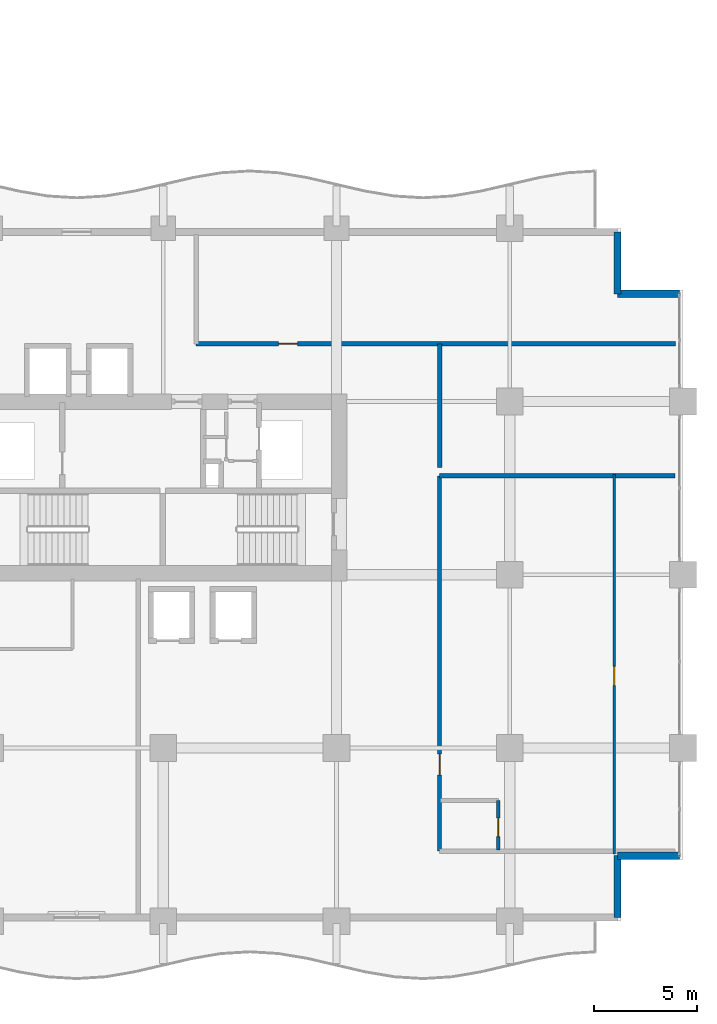
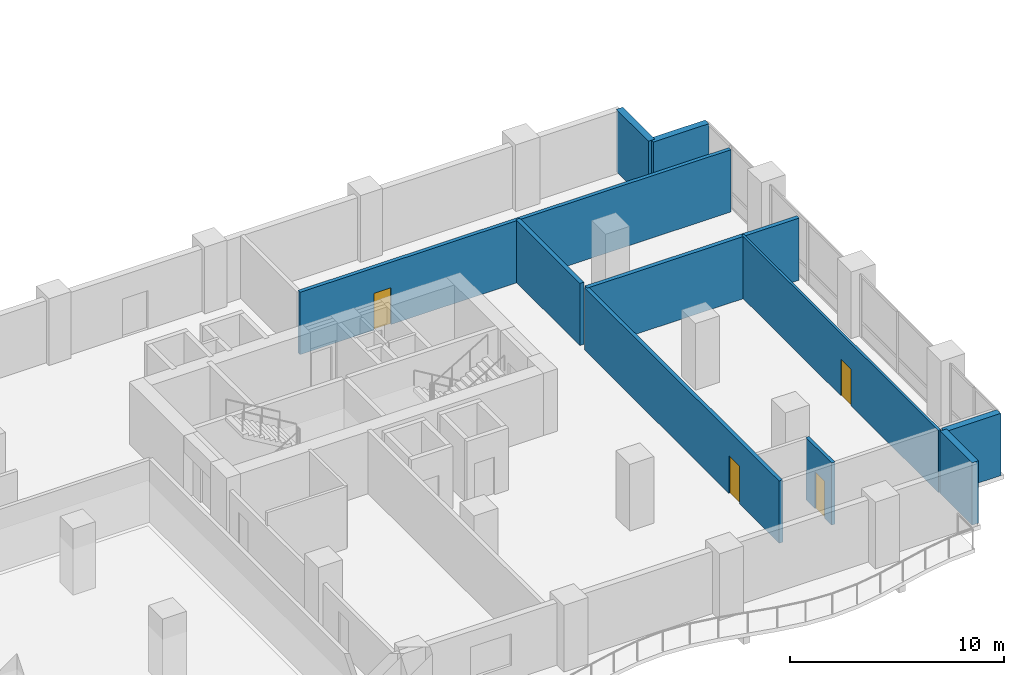
# One storey, part 15 of 23: 10 walls, 4 doors, 4 openings.
"""IFC4 building model written with IfcOpenShell, lengths in metres."""

import ifcopenshell
import ifcopenshell.guid

model = None  # the IFC model being written
_history = None  # IfcOwnerHistory: only IFC2X3 demands one
_inside = {}  # id of a spatial element -> (the spatial element, [elements in it])
_under = {}  # id of a project, library or spatial element -> (it, [spatial elements below it])
_declared = {}  # id of a project -> (the project, [libraries it declares])
_typed = {}  # id of a type object -> (the type object, [elements of that type])
_made_of = {}  # id of a material, layer set ... -> (it, [elements and type objects made of it])


def new_model(schema):
    """Start an empty IFC model of exactly this schema.

    Asked for "IFC4X3", IfcOpenShell would pick the latest addendum, in which some entities
    have other attributes; the version numbers below select the first issue.
    IFC2X3 requires an IfcOwnerHistory on every rooted entity: one is made here for all.
    """
    global model, _history
    if schema == "IFC4X3":
        model = ifcopenshell.file(schema_version=(4, 3, 0, 0))
    else:
        model = ifcopenshell.file(schema=schema)
    _inside.clear()
    _under.clear()
    _declared.clear()
    _typed.clear()
    _made_of.clear()
    _history = None
    if model.schema == "IFC2X3":
        org = make("IfcOrganization", Name="unknown")
        user = make(
            "IfcPersonAndOrganization",
            ThePerson=make("IfcPerson", FamilyName="unknown"),
            TheOrganization=org,
        )
        app = make(
            "IfcApplication",
            ApplicationDeveloper=org,
            Version="unknown",
            ApplicationFullName="unknown",
            ApplicationIdentifier="unknown",
        )
        _history = make(
            "IfcOwnerHistory",
            OwningUser=user,
            OwningApplication=app,
            ChangeAction="ADDED",
            CreationDate=0,
        )
    return model


def make(cls, **values):
    """One entity of the class cls with the attributes given. An attribute that is None is left unset."""
    return model.create_entity(
        cls, **{name: value for name, value in values.items() if value is not None}
    )


def rooted(cls, **values):
    """An entity with a GlobalId (a new one), such as an element, a storey or a relation."""
    return make(cls, GlobalId=ifcopenshell.guid.new(), OwnerHistory=_history, **values)


def si_unit(unit_type, name, prefix=None):
    """IfcSIUnit, for example si_unit("LENGTHUNIT", "METRE", prefix="MILLI")."""
    return make("IfcSIUnit", UnitType=unit_type, Prefix=prefix, Name=name)


def assignment(units):
    """IfcUnitAssignment: the units of a project."""
    return None if units is None else make("IfcUnitAssignment", Units=units)


def point(xyz):
    """IfcCartesianPoint."""
    return None if xyz is None else make("IfcCartesianPoint", Coordinates=xyz)


def direction(xyz):
    """IfcDirection."""
    return None if xyz is None else make("IfcDirection", DirectionRatios=xyz)


def frame(location, z_axis=None, x_axis=None):
    """IfcAxis2Placement3D, a coordinate frame: its origin and axes. An axis left out is left unset."""
    return make(
        "IfcAxis2Placement3D",
        Location=point(location),
        Axis=direction(z_axis),
        RefDirection=direction(x_axis),
    )


def frame_2d(location, x_axis=None):
    """IfcAxis2Placement2D, a coordinate frame in the plane: its origin and x axis."""
    return make(
        "IfcAxis2Placement2D", Location=point(location), RefDirection=direction(x_axis)
    )


def origin():
    """The frame at (0, 0, 0) with its axes left unset."""
    return frame((0.0, 0.0, 0.0))


def place(relative_to, where):
    """IfcLocalPlacement: puts the frame where relative to a parent placement (None: the world)."""
    return make(
        "IfcLocalPlacement", PlacementRelTo=relative_to, RelativePlacement=where
    )


def context(
    kind, dimensions, precision=None, world=None, true_north=None, identifier=None
):
    """IfcGeometricRepresentationContext, for example the 3D "Model" context."""
    return make(
        "IfcGeometricRepresentationContext",
        ContextIdentifier=identifier,
        ContextType=kind,
        CoordinateSpaceDimension=dimensions,
        Precision=precision,
        WorldCoordinateSystem=world,
        TrueNorth=true_north,
    )


def subcontext(parent, identifier, kind, view, scale=None):
    """IfcGeometricRepresentationSubContext, for example "Body" below "Model"."""
    return make(
        "IfcGeometricRepresentationSubContext",
        ContextIdentifier=identifier,
        ContextType=kind,
        ParentContext=parent,
        TargetScale=scale,
        TargetView=view,
    )


def project(units=None, contexts=None):
    """IfcProject with its units and contexts."""
    return rooted(
        "IfcProject",
        Name="project",
        RepresentationContexts=contexts,
        UnitsInContext=assignment(units),
    )


def spatial(cls, under=None, at=None, **own):
    """A site, building, storey or space (cls), placed at a placement, below another one or the project."""
    s = rooted(cls, ObjectPlacement=at, **own)
    if under is not None:
        _under.setdefault(under.id(), (under, []))[1].append(s)
    return s


def profile(cls, at=None, kind="AREA", **sizes):
    """A parametric profile (cls). Its sizes go by their IFC names, for example OverallWidth=200.0."""
    return make(cls, ProfileType=kind, Position=at, **sizes)


def rectangle(**sizes):
    """IfcRectangleProfileDef."""
    return profile("IfcRectangleProfileDef", **sizes)


def extrude(swept, where, along, depth):
    """IfcExtrudedAreaSolid: the profile swept, set in the frame where, extruded along a direction by depth."""
    return make(
        "IfcExtrudedAreaSolid",
        SweptArea=swept,
        Position=where,
        ExtrudedDirection=direction(along),
        Depth=depth,
    )


def shape(context_of_items, identifier, shape_type, items):
    """IfcShapeRepresentation: the items that make up one representation, for example the "Body"."""
    return make(
        "IfcShapeRepresentation",
        ContextOfItems=context_of_items,
        RepresentationIdentifier=identifier,
        RepresentationType=shape_type,
        Items=items,
    )


def material(Name=None, Category=None):
    """IfcMaterial."""
    return make("IfcMaterial", Name=Name, Category=Category)


def layer(
    of_material, thickness, ventilated=None, Name=None, Category=None, Priority=None
):
    """IfcMaterialLayer: one layer of a wall or slab, of a material (None: an air gap)."""
    return make(
        "IfcMaterialLayer",
        Material=of_material,
        LayerThickness=thickness,
        IsVentilated=ventilated,
        Name=Name,
        Category=Category,
        Priority=Priority,
    )


def layer_set(layers, Name=None):
    """IfcMaterialLayerSet."""
    return make("IfcMaterialLayerSet", MaterialLayers=layers, LayerSetName=Name)


def made_of(thing, what):
    """Note that an element or type object is made of a material, layer set ...; save() writes the relation."""
    if what is not None:
        _made_of.setdefault(what.id(), (what, []))[1].append(thing)
    return thing


def type_object(cls, material=None, **own):
    """A type object (cls), such as IfcWallType, which elements share."""
    return made_of(rooted(cls, **own), material)


def element(
    cls,
    number,
    at=None,
    inside=None,
    cuts=None,
    type_object=None,
    material=None,
    context=None,
    identifier="Body",
    shape_type=None,
    held_by="IfcProductDefinitionShape",
    body=None,
    shapes=None,
    **own,
):
    """One element of the class cls, such as IfcWall. Its Tag is "e" and its number.

    at: its placement. inside: the storey or other place that contains it. cuts: it is an
    opening in that element (IfcRelVoidsElement). A single representation is given by context,
    identifier, shape_type and body (its items); several are given by shapes. held_by: the class
    of the entity that holds the representations. save() writes the other relations.
    """
    e = rooted(cls, Tag="e%d" % number, ObjectPlacement=at, **own)
    if body is not None:
        shapes = [shape(context, identifier, shape_type, body)]
    if shapes is not None:
        e.Representation = make(held_by, Representations=shapes)
    if inside is not None:
        _inside.setdefault(inside.id(), (inside, []))[1].append(e)
    if cuts is not None:
        rooted(
            "IfcRelVoidsElement", RelatingBuildingElement=cuts, RelatedOpeningElement=e
        )
    if type_object is not None:
        _typed.setdefault(type_object.id(), (type_object, []))[1].append(e)
    return made_of(e, material)


def fill(opening, filler):
    """IfcRelFillsElement: the door or window that sits in an opening."""
    return rooted(
        "IfcRelFillsElement",
        RelatingOpeningElement=opening,
        RelatedBuildingElement=filler,
    )


def aggregate(whole, parts):
    """IfcRelAggregates: a whole, such as a stair, and the parts it consists of."""
    return rooted("IfcRelAggregates", RelatingObject=whole, RelatedObjects=parts)


def save(model, path):
    """Write the relations noted so far, then the file.

    IfcRelAggregates (storeys below a building ...), IfcRelContainedInSpatialStructure (elements
    in a storey), IfcRelDefinesByType, IfcRelAssociatesMaterial and IfcRelDeclares: one each for
    every whole, place, type object, material and project.
    """
    for whole, parts in _under.values():
        aggregate(whole, parts)
    for where, things in _inside.values():
        rooted(
            "IfcRelContainedInSpatialStructure",
            RelatedElements=things,
            RelatingStructure=where,
        )
    for kind, things in _typed.values():
        rooted("IfcRelDefinesByType", RelatedObjects=things, RelatingType=kind)
    for what, things in _made_of.values():
        rooted("IfcRelAssociatesMaterial", RelatedObjects=things, RelatingMaterial=what)
    for by, libraries in _declared.values():
        rooted("IfcRelDeclares", RelatingContext=by, RelatedDefinitions=libraries)
    model.write(path)


model = new_model("IFC4")

# Units and contexts
model_context = context("Model", 3, precision=1e-05, world=origin(), true_north=direction((0.0, 1.0)))
body_context = subcontext(model_context, "Body", "Model", "MODEL_VIEW")
ifc_project = project(units=[si_unit("LENGTHUNIT", "METRE"), si_unit("AREAUNIT", "SQUARE_METRE"), si_unit("VOLUMEUNIT", "CUBIC_METRE"), si_unit("PLANEANGLEUNIT", "RADIAN"), si_unit("MASSUNIT", "GRAM", prefix="KILO")], contexts=[model_context])

# Site, building, storey
site_placement = place(None, origin())
site = spatial("IfcSite", under=ifc_project, at=site_placement, CompositionType="ELEMENT")
building_placement = place(site_placement, origin())
building = spatial("IfcBuilding", under=site, at=building_placement, Name="Koriwani Terraces Tower", CompositionType="ELEMENT")
storey_placement = place(building_placement, frame((0.0, 0.0, 134.199951171875)))
storey = spatial("IfcBuildingStorey", under=building, at=storey_placement, Name="L32", CompositionType="ELEMENT", Elevation=134.199951171875)

# Wall, opening, door
ifc_material_1 = material(Name="Autoclaved Cellular Concrete Blockwork", Category="masonry")
ifc_layer_1 = layer(ifc_material_1, 0.199951171875, Name="Autoclaved Cellular Concrete Blockwork")
ifc_layer_set_1 = layer_set([ifc_layer_1], Name="Autoclaved Cellular Concrete Blockwork")
wall_type_1 = type_object("IfcWallType", Name="WALL_CORRIDOR_200", PredefinedType="PARTITIONING", material=ifc_layer_set_1)
wall_1_placement = place(storey_placement, frame((63.800048828125, 3.39990234375, 0.0), z_axis=(0.0, 0.0, 1.0), x_axis=(0.0, 1.0, 0.0)))
wall_1 = element("IfcWall", 1, at=wall_1_placement, inside=storey, type_object=wall_type_1, Name="L32 Interior Wall WGB-L32-SETIP-W", PredefinedType="PARTITIONING", context=body_context, shape_type="SweptSolid", body=[
    extrude(rectangle(XDim=18.2001953125, YDim=0.199951171875, at=frame_2d((9.10009765625, 0.0))), origin(), (0.0, 0.0, 1.0), 3.550048828125),
])
opening_1_placement = place(wall_1_placement, frame((3.699951171875, 0.0, 0.0)))
opening_1 = element("IfcOpeningElement", 2, at=opening_1_placement, cuts=wall_1, Name="Opening D-05", PredefinedType="OPENING", context=body_context, shape_type="SweptSolid", body=[
    extrude(rectangle(XDim=1.0, YDim=2.14990234375, at=frame_2d((0.5, 1.074951171875))), frame((0.0, 0.10986328125, 0.0), z_axis=(0.0, -1.0, 0.0), x_axis=(1.0, 0.0, 0.0)), (0.0, 0.0, 1.0), 0.219970703125),
])
ifc_material_2 = material(Name="Architectural Oak Fire Door", Category="wood")
door_type_1 = type_object("IfcDoorType", Name="DOOR_SUITE_ENTRY_1000X2150", OperationType="NOTDEFINED", PredefinedType="DOOR", material=ifc_material_2)
door_1_placement = place(opening_1_placement, origin())
door_1 = element("IfcDoor", 3, at=door_1_placement, inside=storey, type_object=door_type_1, Name="Ambassador Suite 32ET Entrance Door", OperationType="SINGLE_SWING_RIGHT", OverallHeight=2.14990234375, OverallWidth=1.0, PredefinedType="DOOR", context=body_context, shape_type="SweptSolid", body=[
    extrude(rectangle(XDim=1.0, YDim=2.14990234375, at=frame_2d((0.5, 1.074951171875))), frame((0.0, 0.02490234375, 0.0), z_axis=(0.0, -1.0, 0.0), x_axis=(1.0, 0.0, 0.0)), (0.0, 0.0, 1.0), 0.050048828125),
])
fill(opening_1, door_1)

wall_2_placement = place(storey_placement, frame((52.0, 28.0, 0.0), z_axis=(0.0, 0.0, 1.0), x_axis=(1.0, 0.0, 0.0)))
wall_2 = element("IfcWall", 4, at=wall_2_placement, inside=storey, type_object=wall_type_1, Name="L32 Interior Wall WSET2-S-L32", PredefinedType="PARTITIONING", context=body_context, shape_type="SweptSolid", body=[
    extrude(rectangle(XDim=23.25, YDim=0.199951171875, at=frame_2d((11.625, 0.0))), origin(), (0.0, 0.0, 1.0), 3.550048828125),
])
opening_2_placement = place(wall_2_placement, frame((4.0, 0.0, 0.0)))
opening_2 = element("IfcOpeningElement", 5, at=opening_2_placement, cuts=wall_2, Name="Opening D-06", PredefinedType="OPENING", context=body_context, shape_type="SweptSolid", body=[
    extrude(rectangle(XDim=0.919921875, YDim=2.10009765625, at=frame_2d((0.4599609375, 1.050048828125))), frame((0.0, 0.10986328125, 0.0), z_axis=(0.0, -1.0, 0.0), x_axis=(1.0, 0.0, 0.0)), (0.0, 0.0, 1.0), 0.219970703125),
])
door_type_2 = type_object("IfcDoorType", Name="DOOR_ROOM_INT_920X2100", OperationType="NOTDEFINED", PredefinedType="DOOR", material=ifc_material_2)
door_2_placement = place(opening_2_placement, origin())
door_2 = element("IfcDoor", 6, at=door_2_placement, inside=storey, type_object=door_type_2, Name="L32 East Court Salon Door", OperationType="SINGLE_SWING_LEFT", OverallHeight=2.10009765625, OverallWidth=0.919921875, PredefinedType="DOOR", context=body_context, shape_type="SweptSolid", body=[
    extrude(rectangle(XDim=0.919921875, YDim=2.10009765625, at=frame_2d((0.4599609375, 1.050048828125))), frame((0.0, 0.02490234375, 0.0), z_axis=(0.0, -1.0, 0.0), x_axis=(1.0, 0.0, 0.0)), (0.0, 0.0, 1.0), 0.050048828125),
])
fill(opening_2, door_2)

# Walls
ifc_layer_2 = layer(ifc_material_1, 0.219970703125, Name="Autoclaved Cellular Concrete Blockwork")
ifc_layer_set_2 = layer_set([ifc_layer_2], Name="Autoclaved Cellular Concrete Blockwork")
wall_type_2 = type_object("IfcWallType", Name="WALL_DEMISING_220", PredefinedType="PARTITIONING", material=ifc_layer_set_2)
wall_3_placement = place(storey_placement, frame((63.800048828125, 21.60009765625, 0.0), z_axis=(0.0, 0.0, 1.0), x_axis=(1.0, 0.0, 0.0)))
element("IfcWall", 7, at=wall_3_placement, inside=storey, type_object=wall_type_2, Name="L32 Interior Wall WGB-L32-SETIP-N", PredefinedType="PARTITIONING", context=body_context, shape_type="SweptSolid", body=[
    extrude(rectangle(XDim=11.419921875, YDim=0.219970703125, at=frame_2d((5.7099609375, 0.0))), origin(), (0.0, 0.0, 1.0), 3.550048828125),
])
wall_4_placement = place(storey_placement, frame((63.800048828125, 22.0, 0.0), z_axis=(0.0, 0.0, 1.0), x_axis=(0.0, 1.0, 0.0)))
element("IfcWall", 8, at=wall_4_placement, inside=storey, type_object=wall_type_2, Name="L32 Interior Wall WSET2-SW-L32", PredefinedType="PARTITIONING", context=body_context, shape_type="SweptSolid", body=[
    extrude(rectangle(XDim=6.0, YDim=0.219970703125, at=frame_2d((3.0, 0.0))), origin(), (0.0, 0.0, 1.0), 3.550048828125),
])
ifc_material_3 = material(Name="Concrete C50/60", Category="concrete")
ifc_layer_3 = layer(ifc_material_3, 0.35009765625, Name="Concrete C50/60")
ifc_layer_set_3 = layer_set([ifc_layer_3], Name="Concrete C50/60")
wall_type_3 = type_object("IfcWallType", Name="WALL_EXT_BRUTALIST_350", PredefinedType="STANDARD", material=ifc_layer_set_3)
for number, where, z_axis, x_axis, name in (
    (9, (72.425048828125, 33.425048828125, 0.0), (0.0, 0.0, 1.0), (0.0, -1.0, 0.0), "L32 Fair-Faced Brutalist Exterior Wall (N10)"),
    (10, (72.425048828125, 30.425048828125, 0.0), (0.0, 0.0, 1.0), (1.0, 0.0, 0.0), "L32 Fair-Faced Brutalist Exterior Wall (N11)"),
    (11, (75.425048828125, 3.175048828125, 0.0), (0.0, 0.0, 1.0), (-1.0, 0.0, 0.0), "L32 Fair-Faced Brutalist Exterior Wall (N13)"),
    (12, (72.425048828125, 3.175048828125, 0.0), (0.0, 0.0, 1.0), (0.0, -1.0, 0.0), "L32 Fair-Faced Brutalist Exterior Wall (N14)"),
):
    element("IfcWall", number, at=place(storey_placement, frame(where, z_axis=z_axis, x_axis=x_axis)), inside=storey, type_object=wall_type_3, Name=name, PredefinedType="STANDARD", context=body_context, shape_type="SweptSolid", body=[
        extrude(rectangle(XDim=3.0, YDim=0.35009765625, at=frame_2d((1.5, 0.0))), origin(), (0.0, 0.0, 1.0), 3.550048828125),
    ])

# Wall, opening, door
ifc_material_4 = material(Name="Fire-Rated Acoustic Gypsum Partition", Category="masonry")
ifc_layer_4 = layer(ifc_material_4, 0.125, Name="Fire-Rated Acoustic Gypsum Partition")
ifc_layer_set_4 = layer_set([ifc_layer_4], Name="Fire-Rated Acoustic Gypsum Partition")
wall_type_4 = type_object("IfcWallType", Name="WALL_INT_125", PredefinedType="PARTITIONING", material=ifc_layer_set_4)
wall_5_placement = place(storey_placement, frame((72.27001953125, 3.25, 0.0), z_axis=(0.0, 0.0, 1.0), x_axis=(0.0, 1.0, 0.0)))
wall_5 = element("IfcWall", 13, at=wall_5_placement, inside=storey, type_object=wall_type_4, Name="L32 Interior Wall WGB-L32-SETIP-BD", PredefinedType="PARTITIONING", context=body_context, shape_type="SweptSolid", body=[
    extrude(rectangle(XDim=18.39990234375, YDim=0.125, at=frame_2d((9.199951171875, 0.0))), origin(), (0.0, 0.0, 1.0), 3.550048828125),
])
opening_3_placement = place(wall_5_placement, frame((8.18994140625, 0.0, 0.0)))
opening_3 = element("IfcOpeningElement", 14, at=opening_3_placement, cuts=wall_5, Name="Opening D-06", PredefinedType="OPENING", context=body_context, shape_type="SweptSolid", body=[
    extrude(rectangle(XDim=0.919921875, YDim=2.10009765625, at=frame_2d((0.4599609375, 1.050048828125))), frame((0.0, 0.072509765625, 0.0), z_axis=(0.0, -1.0, 0.0), x_axis=(1.0, 0.0, 0.0)), (0.0, 0.0, 1.0), 0.14501953125),
])
door_3_placement = place(opening_3_placement, origin())
door_3 = element("IfcDoor", 15, at=door_3_placement, inside=storey, type_object=door_type_2, Name="Ambassador Suite 32ET Master Suite Door", OperationType="SINGLE_SWING_RIGHT", OverallHeight=2.10009765625, OverallWidth=0.919921875, PredefinedType="DOOR", context=body_context, shape_type="SweptSolid", body=[
    extrude(rectangle(XDim=0.919921875, YDim=2.10009765625, at=frame_2d((0.4599609375, 1.050048828125))), frame((0.0, 0.02490234375, 0.0), z_axis=(0.0, -1.0, 0.0), x_axis=(1.0, 0.0, 0.0)), (0.0, 0.0, 1.0), 0.050048828125),
])
fill(opening_3, door_3)

ifc_layer_5 = layer(ifc_material_4, 0.179931640625, Name="Fire-Rated Acoustic Gypsum Partition")
ifc_layer_set_5 = layer_set([ifc_layer_5], Name="Fire-Rated Acoustic Gypsum Partition")
wall_type_5 = type_object("IfcWallType", Name="WALL_PLUMBING_180", PredefinedType="PLUMBINGWALL", material=ifc_layer_set_5)
wall_6_placement = place(storey_placement, frame((66.64990234375, 3.449951171875, 0.0), z_axis=(0.0, 0.0, 1.0), x_axis=(0.0, 1.0, 0.0)))
wall_6 = element("IfcWall", 16, at=wall_6_placement, inside=storey, type_object=wall_type_5, Name="L32 Interior Wall WGB-L32-SETIP-SVB", PredefinedType="PLUMBINGWALL", context=body_context, shape_type="SweptSolid", body=[
    extrude(rectangle(XDim=2.400146484375, YDim=0.179931640625, at=frame_2d((1.2001953125, 0.0))), origin(), (0.0, 0.0, 1.0), 3.550048828125),
])
opening_4_placement = place(wall_6_placement, frame((0.64990234375, 0.0, 0.0)))
opening_4 = element("IfcOpeningElement", 17, at=opening_4_placement, cuts=wall_6, Name="Opening D-07", PredefinedType="OPENING", context=body_context, shape_type="SweptSolid", body=[
    extrude(rectangle(XDim=0.89990234375, YDim=2.10009765625, at=frame_2d((0.449951171875, 1.050048828125))), frame((0.0, 0.10009765625, 0.0), z_axis=(0.0, -1.0, 0.0), x_axis=(1.0, 0.0, 0.0)), (0.0, 0.0, 1.0), 0.199951171875),
])
door_type_3 = type_object("IfcDoorType", Name="DOOR_BATH_INT_900X2100", OperationType="NOTDEFINED", PredefinedType="DOOR", material=ifc_material_2)
door_4_placement = place(opening_4_placement, origin())
door_4 = element("IfcDoor", 18, at=door_4_placement, inside=storey, type_object=door_type_3, Name="Ambassador Suite 32ET Bathroom Door", OperationType="SINGLE_SWING_LEFT", OverallHeight=2.10009765625, OverallWidth=0.89990234375, PredefinedType="DOOR", context=body_context, shape_type="SweptSolid", body=[
    extrude(rectangle(XDim=0.89990234375, YDim=2.10009765625, at=frame_2d((0.449951171875, 1.050048828125))), frame((0.0, 0.02490234375, 0.0), z_axis=(0.0, -1.0, 0.0), x_axis=(1.0, 0.0, 0.0)), (0.0, 0.0, 1.0), 0.050048828125),
])
fill(opening_4, door_4)

save(model, "model.ifc")
